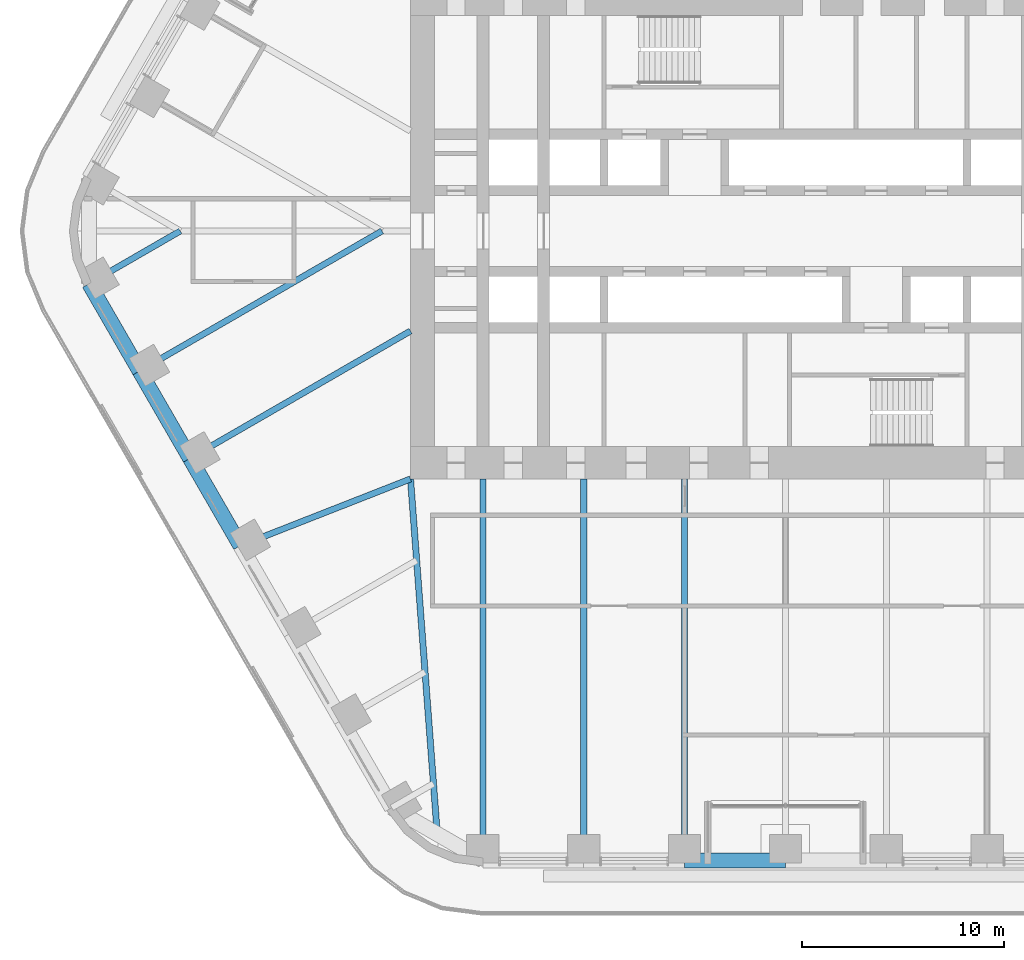
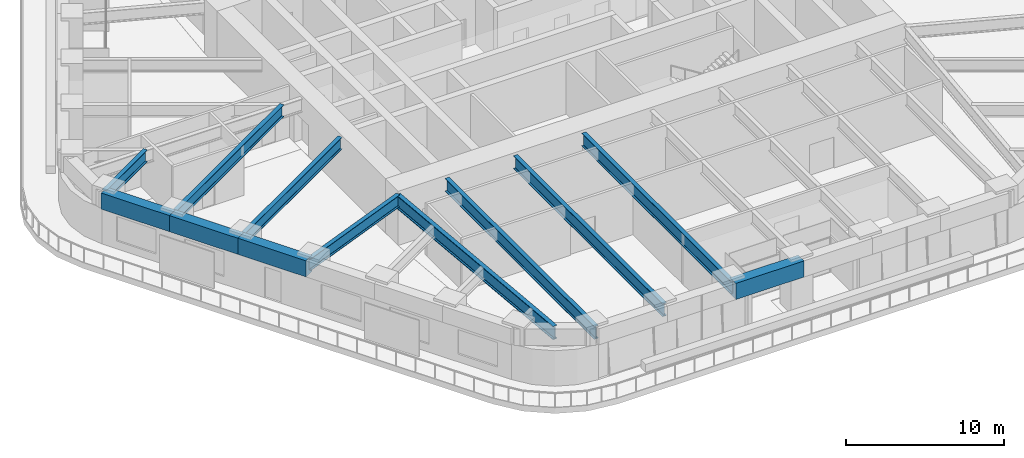
# One storey, part 3 of 24: 12 beams.
"""IFC4 building model written with IfcOpenShell, lengths in metres."""

from ifc_helpers import new_model, si_unit, direction, frame, origin, origin_2d, place, context, subcontext, project, spatial, rectangle, i_section, extrude, material, material_profile, profile_set, type_object, element, save


model = new_model("IFC4")

# Units and contexts
model_context = context("Model", 3, precision=1e-05, world=origin(), true_north=direction((0.0, 1.0)))
body_context = subcontext(model_context, "Body", "Model", "MODEL_VIEW")
ifc_project = project(units=[si_unit("LENGTHUNIT", "METRE"), si_unit("AREAUNIT", "SQUARE_METRE"), si_unit("VOLUMEUNIT", "CUBIC_METRE"), si_unit("PLANEANGLEUNIT", "RADIAN"), si_unit("MASSUNIT", "GRAM", prefix="KILO")], contexts=[model_context])

# Site, building, storey
site_placement = place(None, origin())
site = spatial("IfcSite", under=ifc_project, at=site_placement, CompositionType="ELEMENT")
building_placement = place(site_placement, origin())
building = spatial("IfcBuilding", under=site, at=building_placement, Name="Tarfa Lantern Tower", CompositionType="ELEMENT")
storey_placement = place(building_placement, frame((0.0, 0.0, 178.300048828125)))
storey = spatial("IfcBuildingStorey", under=building, at=storey_placement, Name="L40", CompositionType="ELEMENT", Elevation=178.300048828125)

# Beams
ifc_material_1 = material(Name="Concrete C80/95", Category="concrete")
ifc_material_profile_1 = material_profile(ifc_material_1, rectangle(XDim=0.75, YDim=1.25, at=origin_2d()), Name="RC 750x1250")
ifc_profile_set_1 = profile_set([ifc_material_profile_1], Name="Concrete C80/95")
beam_type_1 = type_object("IfcBeamType", Name="EB2 RC 750x1250", PredefinedType="SPANDREL", material=ifc_profile_set_1)
for number, where, z_axis, x_axis, name in (
    (1, (-34.54296875, -2.610107421875, 3.375), (0.500022324899, -0.866012514114, 0.0), (0.866012514114, 0.500022324899, 0.0), "Edge beam SW0"),
    (2, (-32.041015625, -6.943359375, 3.375), (0.500022324899, -0.866012514114, 0.0), (0.866012514114, 0.500022324899, 0.0), "Edge beam SW1"),
    (3, (-29.5390625, -11.276611328125, 3.375), (0.499964603504, -0.866045838996, 0.0), (0.866045838996, 0.499964603504, 0.0), "Edge beam SW2"),
    (4, (-5.003662109375, -31.219970703125, 3.375), (1.0, 0.0, 0.0), (0.0, 1.0, 0.0), "Edge beam S2"),
):
    element("IfcBeam", number, at=place(storey_placement, frame(where, z_axis=z_axis, x_axis=x_axis)), inside=storey, type_object=beam_type_1, Name=name, PredefinedType="SPANDREL", context=body_context, shape_type="SweptSolid", body=[
        extrude(rectangle(XDim=0.75, YDim=1.25, at=origin_2d()), origin(), (0.0, 0.0, 1.0), 5.003662109375),
    ])
ifc_material_2 = material(Name="Steel S460M", Category="steel")
ifc_material_profile_2 = material_profile(ifc_material_2, i_section(OverallWidth=0.302001953125, OverallDepth=1.008056640625, WebThickness=0.02099609375, FlangeThickness=0.0400390625, FilletRadius=0.030029296875, at=origin_2d()), Name="UB1016x305x349")
ifc_profile_set_2 = profile_set([ifc_material_profile_2], Name="Steel S460M")
beam_type_2 = type_object("IfcBeamType", Name="UB1016x305x349", PredefinedType="BEAM", material=ifc_profile_set_2)
for number, where, z_axis, x_axis, name in (
    (5, (-15.010986328125, -31.219970703125, 3.495849609375), (0.0, 1.0, 0.0), (-1.0, 0.0, 0.0), "Floor beam S0"),
    (6, (-10.00732421875, -31.219970703125, 3.495849609375), (0.0, 1.0, 0.0), (-1.0, 0.0, 0.0), "Floor beam S1"),
    (7, (-5.003662109375, -31.219970703125, 3.495849609375), (0.0, 1.0, 0.0), (-1.0, 0.0, 0.0), "Floor beam S2"),
):
    element("IfcBeam", number, at=place(storey_placement, frame(where, z_axis=z_axis, x_axis=x_axis)), inside=storey, type_object=beam_type_2, Name=name, PredefinedType="BEAM", context=body_context, shape_type="SweptSolid", body=[
        extrude(i_section(OverallWidth=0.302001953125, OverallDepth=1.008056640625, WebThickness=0.02099609375, FlangeThickness=0.0400390625, FilletRadius=0.030029296875, at=origin_2d()), origin(), (0.0, 0.0, 1.0), 18.919921875),
    ])
ifc_material_profile_3 = material_profile(ifc_material_2, i_section(OverallWidth=0.30859375, OverallDepth=1.036376953125, WebThickness=0.030029296875, FlangeThickness=0.05419921875, FilletRadius=0.030029296875, at=origin_2d()), Name="UB1016x305x487")
ifc_profile_set_3 = profile_set([ifc_material_profile_3], Name="Steel S460M")
beam_type_3 = type_object("IfcBeamType", Name="UB1016x305x487", PredefinedType="BEAM", material=ifc_profile_set_3)
beam_1_placement = place(storey_placement, frame((-18.60009765625, -12.300048828125, 3.481689453125), z_axis=(0.075211516041, -0.99716760269, 0.0), x_axis=(0.99716760269, 0.075211516041, 0.0)))
element("IfcBeam", 8, at=beam_1_placement, inside=storey, type_object=beam_type_3, Name="Hip girder SW", PredefinedType="BEAM", context=body_context, shape_type="SweptSolid", body=[
    extrude(i_section(OverallWidth=0.30859375, OverallDepth=1.036376953125, WebThickness=0.030029296875, FlangeThickness=0.05419921875, FilletRadius=0.030029296875, at=origin_2d()), origin(), (0.0, 0.0, 1.0), 17.6650390625),
])
ifc_material_profile_4 = material_profile(ifc_material_2, i_section(OverallWidth=0.305419921875, OverallDepth=0.91845703125, WebThickness=0.017333984375, FlangeThickness=0.02783203125, FilletRadius=0.01904296875, at=origin_2d()), Name="UB914x305x253")
ifc_profile_set_4 = profile_set([ifc_material_profile_4], Name="Steel S460M")
beam_type_4 = type_object("IfcBeamType", Name="UB914x305x253", PredefinedType="BEAM", material=ifc_profile_set_4)
beam_2_placement = place(storey_placement, frame((-34.54296875, -2.610107421875, 3.540771484375), z_axis=(0.866021250859, 0.500007193008, 0.0), x_axis=(-0.500007193008, 0.866021250859, 0.0)))
element("IfcBeam", 9, at=beam_2_placement, inside=storey, type_object=beam_type_4, Name="Floor beam SW0", PredefinedType="BEAM", context=body_context, shape_type="SweptSolid", body=[
    extrude(i_section(OverallWidth=0.305419921875, OverallDepth=0.91845703125, WebThickness=0.017333984375, FlangeThickness=0.02783203125, FilletRadius=0.01904296875, at=origin_2d()), origin(), (0.0, 0.0, 1.0), 5.22021484375),
])
beam_3_placement = place(storey_placement, frame((-32.041015625, -6.943359375, 3.540771484375), z_axis=(0.866023096411, 0.500003996466, 0.0), x_axis=(-0.500003996466, 0.866023096411, 0.0)))
element("IfcBeam", 10, at=beam_3_placement, inside=storey, type_object=beam_type_4, Name="Floor beam SW1", PredefinedType="BEAM", context=body_context, shape_type="SweptSolid", body=[
    extrude(i_section(OverallWidth=0.305419921875, OverallDepth=0.91845703125, WebThickness=0.017333984375, FlangeThickness=0.02783203125, FilletRadius=0.01904296875, at=origin_2d()), origin(), (0.0, 0.0, 1.0), 13.88671875),
])
beam_4_placement = place(storey_placement, frame((-29.5390625, -11.276611328125, 3.540771484375), z_axis=(0.866023362995, 0.500003534735, 0.0), x_axis=(-0.500003534735, 0.866023362995, 0.0)))
element("IfcBeam", 11, at=beam_4_placement, inside=storey, type_object=beam_type_4, Name="Floor beam SW2", PredefinedType="BEAM", context=body_context, shape_type="SweptSolid", body=[
    extrude(i_section(OverallWidth=0.305419921875, OverallDepth=0.91845703125, WebThickness=0.017333984375, FlangeThickness=0.02783203125, FilletRadius=0.01904296875, at=origin_2d()), origin(), (0.0, 0.0, 1.0), 12.63134765625),
])
beam_5_placement = place(storey_placement, frame((-27.037353515625, -15.610107421875, 3.540771484375), z_axis=(0.930923282782, 0.365214788274, 0.0), x_axis=(-0.365214788274, 0.930923282782, 0.0)))
element("IfcBeam", 12, at=beam_5_placement, inside=storey, type_object=beam_type_4, Name="Floor beam SW3", PredefinedType="BEAM", context=body_context, shape_type="SweptSolid", body=[
    extrude(i_section(OverallWidth=0.305419921875, OverallDepth=0.91845703125, WebThickness=0.017333984375, FlangeThickness=0.02783203125, FilletRadius=0.01904296875, at=origin_2d()), origin(), (0.0, 0.0, 1.0), 9.063232421875),
])

save(model, "model.ifc")
